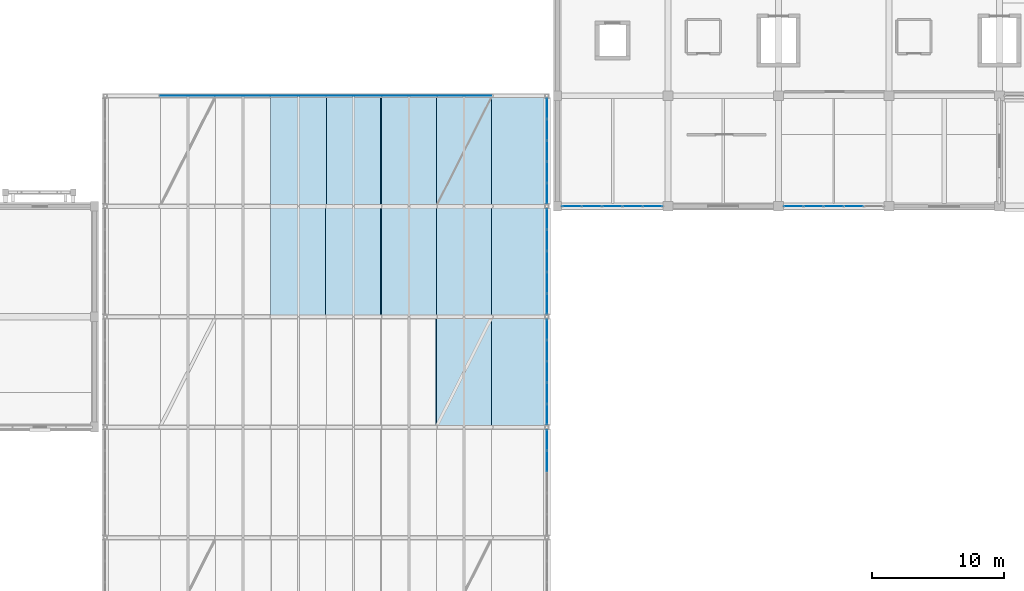
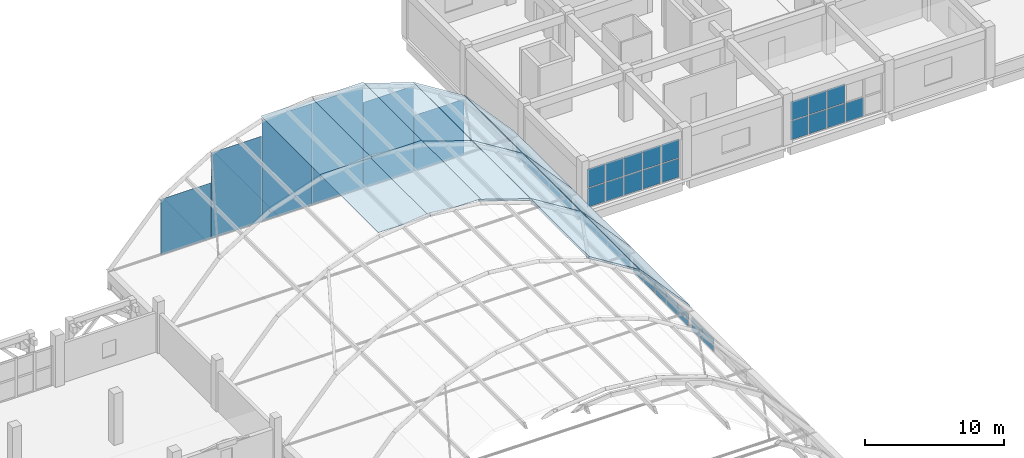
# One storey, part 94 of 114: 61 plates, 8 slabs, 6 elements without a shape of their own.
"""IFC4 building model written with IfcOpenShell, lengths in metres."""

from ifc_helpers import new_model, si_unit, direction, frame, origin, origin_2d, place, context, subcontext, project, spatial, polyline, rectangle, outline, extrude, material, layer, layer_set, type_object, element, aggregate, save


model = new_model("IFC4")

# Units and contexts
model_context = context("Model", 3, precision=1e-05, world=origin(), true_north=direction((0.0, 1.0)))
body_context = subcontext(model_context, "Body", "Model", "MODEL_VIEW")
ifc_project = project(units=[si_unit("LENGTHUNIT", "METRE"), si_unit("AREAUNIT", "SQUARE_METRE"), si_unit("VOLUMEUNIT", "CUBIC_METRE"), si_unit("PLANEANGLEUNIT", "RADIAN"), si_unit("MASSUNIT", "GRAM", prefix="KILO")], contexts=[model_context])

# Site, building, storey
site_placement = place(None, origin())
site = spatial("IfcSite", under=ifc_project, at=site_placement, CompositionType="ELEMENT")
building_placement = place(site_placement, origin())
building = spatial("IfcBuilding", under=site, at=building_placement, Name="Xazarin Passage Department Store", CompositionType="ELEMENT")
storey_placement = place(building_placement, frame((0.0, 0.0, 14.39990234375)))
storey = spatial("IfcBuildingStorey", under=building, at=storey_placement, Name="L03", CompositionType="ELEMENT", Elevation=14.39990234375)

# Curtain wall, plates
ifc_material_1 = material(Name="Bronze anodised aluminium", Category="aluminium")
ifc_layer_1 = layer(ifc_material_1, 0.1650390625)
ifc_layer_set_1 = layer_set([ifc_layer_1], Name="Bronze anodised aluminium")
curtain_wall_type_1 = type_object("IfcCurtainWallType", Name="ARC-CW-OFF1", PredefinedType="NOTDEFINED", material=ifc_layer_set_1)
curtain_wall_1_placement = place(storey_placement, origin())
curtain_wall_1 = element("IfcCurtainWall", 1, at=curtain_wall_1_placement, inside=storey, type_object=curtain_wall_type_1, Name="L03 V4 Curtain Wall 135", PredefinedType="NOTDEFINED")
ifc_material_2 = material(Name="Low-E laminated safety glass", Category="glass")
ifc_layer_2 = layer(ifc_material_2, 0.028076171875)
ifc_layer_set_2 = layer_set([ifc_layer_2], Name="Low-E laminated safety glass")
plate_type_1 = type_object("IfcPlateType", Name="ARC-CWP-GLZ28", PredefinedType="CURTAIN_PANEL", material=ifc_layer_set_2)
plate_1_placement = place(storey_placement, frame((103.48876953125, 84.800048828125, 0.065185546875), z_axis=(0.0, 0.0, 1.0), x_axis=(1.0, 0.0, 0.0)))
plate_1 = element("IfcPlate", 2, at=plate_1_placement, type_object=plate_type_1, Name="CW6 panel 1.1", PredefinedType="CURTAIN_PANEL", context=body_context, shape_type="SweptSolid", body=[
    extrude(rectangle(XDim=1.447509765625, YDim=0.028076171875, at=origin_2d()), origin(), (0.0, 0.0, 1.0), 1.6474609375),
])
plate_2_placement = place(storey_placement, frame((103.48876953125, 84.800048828125, 1.777587890625), z_axis=(0.0, 0.0, 1.0), x_axis=(1.0, 0.0, 0.0)))
plate_2 = element("IfcPlate", 3, at=plate_2_placement, type_object=plate_type_1, Name="CW6 panel 1.2", PredefinedType="CURTAIN_PANEL", context=body_context, shape_type="SweptSolid", body=[
    extrude(rectangle(XDim=1.447509765625, YDim=0.028076171875, at=origin_2d()), origin(), (0.0, 0.0, 1.0), 1.6474609375),
])
plate_3_placement = place(storey_placement, frame((105.017578125, 84.800048828125, 0.065185546875), z_axis=(0.0, 0.0, 1.0), x_axis=(1.0, 0.0, 0.0)))
plate_3 = element("IfcPlate", 4, at=plate_3_placement, type_object=plate_type_1, Name="CW6 panel 2.1", PredefinedType="CURTAIN_PANEL", context=body_context, shape_type="SweptSolid", body=[
    extrude(rectangle(XDim=1.47998046875, YDim=0.028076171875, at=origin_2d()), origin(), (0.0, 0.0, 1.0), 1.6474609375),
])
plate_4_placement = place(storey_placement, frame((105.017578125, 84.800048828125, 1.777587890625), z_axis=(0.0, 0.0, 1.0), x_axis=(1.0, 0.0, 0.0)))
plate_4 = element("IfcPlate", 5, at=plate_4_placement, type_object=plate_type_1, Name="CW6 panel 2.2", PredefinedType="CURTAIN_PANEL", context=body_context, shape_type="SweptSolid", body=[
    extrude(rectangle(XDim=1.47998046875, YDim=0.028076171875, at=origin_2d()), origin(), (0.0, 0.0, 1.0), 1.6474609375),
])
plate_5_placement = place(storey_placement, frame((106.5625, 84.800048828125, 0.065185546875), z_axis=(0.0, 0.0, 1.0), x_axis=(1.0, 0.0, 0.0)))
plate_5 = element("IfcPlate", 6, at=plate_5_placement, type_object=plate_type_1, Name="CW6 panel 3.1", PredefinedType="CURTAIN_PANEL", context=body_context, shape_type="SweptSolid", body=[
    extrude(rectangle(XDim=1.47998046875, YDim=0.028076171875, at=origin_2d()), origin(), (0.0, 0.0, 1.0), 1.6474609375),
])
plate_6_placement = place(storey_placement, frame((106.5625, 84.800048828125, 1.777587890625), z_axis=(0.0, 0.0, 1.0), x_axis=(1.0, 0.0, 0.0)))
plate_6 = element("IfcPlate", 7, at=plate_6_placement, type_object=plate_type_1, Name="CW6 panel 3.2", PredefinedType="CURTAIN_PANEL", context=body_context, shape_type="SweptSolid", body=[
    extrude(rectangle(XDim=1.47998046875, YDim=0.028076171875, at=origin_2d()), origin(), (0.0, 0.0, 1.0), 1.6474609375),
])
plate_7_placement = place(storey_placement, frame((108.107421875, 84.800048828125, 0.065185546875), z_axis=(0.0, 0.0, 1.0), x_axis=(1.0, 0.0, 0.0)))
plate_7 = element("IfcPlate", 8, at=plate_7_placement, type_object=plate_type_1, Name="CW6 panel 4.1", PredefinedType="CURTAIN_PANEL", context=body_context, shape_type="SweptSolid", body=[
    extrude(rectangle(XDim=1.47998046875, YDim=0.028076171875, at=origin_2d()), origin(), (0.0, 0.0, 1.0), 1.6474609375),
])
plate_8_placement = place(storey_placement, frame((108.107421875, 84.800048828125, 1.777587890625), z_axis=(0.0, 0.0, 1.0), x_axis=(1.0, 0.0, 0.0)))
plate_8 = element("IfcPlate", 9, at=plate_8_placement, type_object=plate_type_1, Name="CW6 panel 4.2", PredefinedType="CURTAIN_PANEL", context=body_context, shape_type="SweptSolid", body=[
    extrude(rectangle(XDim=1.47998046875, YDim=0.028076171875, at=origin_2d()), origin(), (0.0, 0.0, 1.0), 1.6474609375),
])
plate_9_placement = place(storey_placement, frame((109.63623046875, 84.800048828125, 0.065185546875), z_axis=(0.0, 0.0, 1.0), x_axis=(1.0, 0.0, 0.0)))
plate_9 = element("IfcPlate", 10, at=plate_9_placement, type_object=plate_type_1, Name="CW6 panel 5.1", PredefinedType="CURTAIN_PANEL", context=body_context, shape_type="SweptSolid", body=[
    extrude(rectangle(XDim=1.447509765625, YDim=0.028076171875, at=origin_2d()), origin(), (0.0, 0.0, 1.0), 1.6474609375),
])
plate_10_placement = place(storey_placement, frame((109.63623046875, 84.800048828125, 1.777587890625), z_axis=(0.0, 0.0, 1.0), x_axis=(1.0, 0.0, 0.0)))
plate_10 = element("IfcPlate", 11, at=plate_10_placement, type_object=plate_type_1, Name="CW6 panel 5.2", PredefinedType="CURTAIN_PANEL", context=body_context, shape_type="SweptSolid", body=[
    extrude(rectangle(XDim=1.447509765625, YDim=0.028076171875, at=origin_2d()), origin(), (0.0, 0.0, 1.0), 1.6474609375),
])
aggregate(curtain_wall_1, [plate_1, plate_2, plate_3, plate_4, plate_5, plate_6, plate_7, plate_8, plate_9, plate_10])

curtain_wall_2_placement = place(storey_placement, origin())
curtain_wall_2 = element("IfcCurtainWall", 12, at=curtain_wall_2_placement, inside=storey, type_object=curtain_wall_type_1, Name="L03 V4 Curtain Wall 136", PredefinedType="NOTDEFINED")
plate_11_placement = place(storey_placement, frame((120.356201171875, 84.800048828125, 0.065185546875), z_axis=(0.0, 0.0, 1.0), x_axis=(1.0, 0.0, 0.0)))
plate_11 = element("IfcPlate", 13, at=plate_11_placement, type_object=plate_type_1, Name="CW6 panel 1.1", PredefinedType="CURTAIN_PANEL", context=body_context, shape_type="SweptSolid", body=[
    extrude(rectangle(XDim=1.4326171875, YDim=0.028076171875, at=origin_2d()), origin(), (0.0, 0.0, 1.0), 1.6474609375),
])
plate_12_placement = place(storey_placement, frame((120.356201171875, 84.800048828125, 1.777587890625), z_axis=(0.0, 0.0, 1.0), x_axis=(1.0, 0.0, 0.0)))
plate_12 = element("IfcPlate", 14, at=plate_12_placement, type_object=plate_type_1, Name="CW6 panel 1.2", PredefinedType="CURTAIN_PANEL", context=body_context, shape_type="SweptSolid", body=[
    extrude(rectangle(XDim=1.4326171875, YDim=0.028076171875, at=origin_2d()), origin(), (0.0, 0.0, 1.0), 1.6474609375),
])
plate_13_placement = place(storey_placement, frame((121.8701171875, 84.800048828125, 0.065185546875), z_axis=(0.0, 0.0, 1.0), x_axis=(1.0, 0.0, 0.0)))
plate_13 = element("IfcPlate", 15, at=plate_13_placement, type_object=plate_type_1, Name="CW6 panel 2.1", PredefinedType="CURTAIN_PANEL", context=body_context, shape_type="SweptSolid", body=[
    extrude(rectangle(XDim=1.465087890625, YDim=0.028076171875, at=origin_2d()), origin(), (0.0, 0.0, 1.0), 1.6474609375),
])
plate_14_placement = place(storey_placement, frame((121.8701171875, 84.800048828125, 1.777587890625), z_axis=(0.0, 0.0, 1.0), x_axis=(1.0, 0.0, 0.0)))
plate_14 = element("IfcPlate", 16, at=plate_14_placement, type_object=plate_type_1, Name="CW6 panel 2.2", PredefinedType="CURTAIN_PANEL", context=body_context, shape_type="SweptSolid", body=[
    extrude(rectangle(XDim=1.465087890625, YDim=0.028076171875, at=origin_2d()), origin(), (0.0, 0.0, 1.0), 1.6474609375),
])
plate_15_placement = place(storey_placement, frame((123.39990234375, 84.800048828125, 0.065185546875), z_axis=(0.0, 0.0, 1.0), x_axis=(1.0, 0.0, 0.0)))
plate_15 = element("IfcPlate", 17, at=plate_15_placement, type_object=plate_type_1, Name="CW6 panel 3.1", PredefinedType="CURTAIN_PANEL", context=body_context, shape_type="SweptSolid", body=[
    extrude(rectangle(XDim=1.465087890625, YDim=0.028076171875, at=origin_2d()), origin(), (0.0, 0.0, 1.0), 1.6474609375),
])
plate_16_placement = place(storey_placement, frame((123.39990234375, 84.800048828125, 1.777587890625), z_axis=(0.0, 0.0, 1.0), x_axis=(1.0, 0.0, 0.0)))
plate_16 = element("IfcPlate", 18, at=plate_16_placement, type_object=plate_type_1, Name="CW6 panel 3.2", PredefinedType="CURTAIN_PANEL", context=body_context, shape_type="SweptSolid", body=[
    extrude(rectangle(XDim=1.465087890625, YDim=0.028076171875, at=origin_2d()), origin(), (0.0, 0.0, 1.0), 1.6474609375),
])
plate_17_placement = place(storey_placement, frame((124.929931640625, 84.800048828125, 0.065185546875), z_axis=(0.0, 0.0, 1.0), x_axis=(1.0, 0.0, 0.0)))
plate_17 = element("IfcPlate", 19, at=plate_17_placement, type_object=plate_type_1, Name="CW6 panel 4.1", PredefinedType="CURTAIN_PANEL", context=body_context, shape_type="SweptSolid", body=[
    extrude(rectangle(XDim=1.465087890625, YDim=0.028076171875, at=origin_2d()), origin(), (0.0, 0.0, 1.0), 1.6474609375),
])
aggregate(curtain_wall_2, [plate_11, plate_12, plate_13, plate_14, plate_15, plate_16, plate_17])

ifc_layer_3 = layer(ifc_material_1, 0.159912109375)
ifc_layer_set_3 = layer_set([ifc_layer_3], Name="Bronze anodised aluminium")
curtain_wall_type_2 = type_object("IfcCurtainWallType", Name="ARC-CW-ARC1", PredefinedType="NOTDEFINED", material=ifc_layer_set_3)
curtain_wall_3_placement = place(storey_placement, origin())
curtain_wall_3 = element("IfcCurtainWall", 20, at=curtain_wall_3_placement, inside=storey, type_object=curtain_wall_type_2, Name="L03 V2N Galleria Clerestory Curtain Wall 2E", PredefinedType="NOTDEFINED")
plate_18_placement = place(storey_placement, frame((101.60009765625, 65.416015625, 0.065185546875), z_axis=(0.0, 0.0, 1.0), x_axis=(0.0, 1.0, 0.0)))
plate_18 = element("IfcPlate", 21, at=plate_18_placement, type_object=plate_type_1, Name="CW3 panel 4.1", PredefinedType="CURTAIN_PANEL", context=body_context, shape_type="SweptSolid", body=[
    extrude(rectangle(XDim=1.551025390625, YDim=0.028076171875, at=origin_2d()), origin(), (0.0, 0.0, 1.0), 0.5283203125),
])
plate_19_placement = place(storey_placement, frame((101.60009765625, 65.416015625, 0.658447265625), z_axis=(0.0, 0.0, 1.0), x_axis=(0.0, 1.0, 0.0)))
plate_19 = element("IfcPlate", 22, at=plate_19_placement, type_object=plate_type_1, Name="CW3 panel 4.2", PredefinedType="CURTAIN_PANEL", context=body_context, shape_type="SweptSolid", body=[
    extrude(rectangle(XDim=1.551025390625, YDim=0.028076171875, at=origin_2d()), origin(), (0.0, 0.0, 1.0), 0.5283203125),
])
plate_20_placement = place(storey_placement, frame((101.60009765625, 67.015869140625, 0.065185546875), z_axis=(0.0, 0.0, 1.0), x_axis=(0.0, 1.0, 0.0)))
plate_20 = element("IfcPlate", 23, at=plate_20_placement, type_object=plate_type_1, Name="CW3 panel 5.1", PredefinedType="CURTAIN_PANEL", context=body_context, shape_type="SweptSolid", body=[
    extrude(rectangle(XDim=1.5185546875, YDim=0.028076171875, at=origin_2d()), origin(), (0.0, 0.0, 1.0), 0.5283203125),
])
plate_21_placement = place(storey_placement, frame((101.60009765625, 67.015869140625, 0.658447265625), z_axis=(0.0, 0.0, 1.0), x_axis=(0.0, 1.0, 0.0)))
plate_21 = element("IfcPlate", 24, at=plate_21_placement, type_object=plate_type_1, Name="CW3 panel 5.2", PredefinedType="CURTAIN_PANEL", context=body_context, shape_type="SweptSolid", body=[
    extrude(rectangle(XDim=1.5185546875, YDim=0.028076171875, at=origin_2d()), origin(), (0.0, 0.0, 1.0), 0.5283203125),
])
aggregate(curtain_wall_3, [plate_18, plate_19, plate_20, plate_21])

curtain_wall_4_placement = place(storey_placement, origin())
curtain_wall_4 = element("IfcCurtainWall", 25, at=curtain_wall_4_placement, inside=storey, type_object=curtain_wall_type_2, Name="L03 V2N Galleria Clerestory Curtain Wall 3E", PredefinedType="NOTDEFINED")
plate_22_placement = place(storey_placement, frame((101.60009765625, 68.984130859375, 0.065185546875), z_axis=(0.0, 0.0, 1.0), x_axis=(0.0, 1.0, 0.0)))
plate_22 = element("IfcPlate", 26, at=plate_22_placement, type_object=plate_type_1, Name="CW3 panel 1.1", PredefinedType="CURTAIN_PANEL", context=body_context, shape_type="SweptSolid", body=[
    extrude(rectangle(XDim=1.5185546875, YDim=0.028076171875, at=origin_2d()), origin(), (0.0, 0.0, 1.0), 0.5283203125),
])
plate_23_placement = place(storey_placement, frame((101.60009765625, 68.984130859375, 0.658447265625), z_axis=(0.0, 0.0, 1.0), x_axis=(0.0, 1.0, 0.0)))
plate_23 = element("IfcPlate", 27, at=plate_23_placement, type_object=plate_type_1, Name="CW3 panel 1.2", PredefinedType="CURTAIN_PANEL", context=body_context, shape_type="SweptSolid", body=[
    extrude(rectangle(XDim=1.5185546875, YDim=0.028076171875, at=origin_2d()), origin(), (0.0, 0.0, 1.0), 0.5283203125),
])
plate_24_placement = place(storey_placement, frame((101.60009765625, 70.583984375, 0.065185546875), z_axis=(0.0, 0.0, 1.0), x_axis=(0.0, 1.0, 0.0)))
plate_24 = element("IfcPlate", 28, at=plate_24_placement, type_object=plate_type_1, Name="CW3 panel 2.1", PredefinedType="CURTAIN_PANEL", context=body_context, shape_type="SweptSolid", body=[
    extrude(rectangle(XDim=1.551025390625, YDim=0.028076171875, at=origin_2d()), origin(), (0.0, 0.0, 1.0), 0.5283203125),
])
plate_25_placement = place(storey_placement, frame((101.60009765625, 70.583984375, 0.658447265625), z_axis=(0.0, 0.0, 1.0), x_axis=(0.0, 1.0, 0.0)))
plate_25 = element("IfcPlate", 29, at=plate_25_placement, type_object=plate_type_1, Name="CW3 panel 2.2", PredefinedType="CURTAIN_PANEL", context=body_context, shape_type="SweptSolid", body=[
    extrude(rectangle(XDim=1.551025390625, YDim=0.028076171875, at=origin_2d()), origin(), (0.0, 0.0, 1.0), 0.5283203125),
])
plate_26_placement = place(storey_placement, frame((101.60009765625, 72.199951171875, 0.065185546875), z_axis=(0.0, 0.0, 1.0), x_axis=(0.0, 1.0, 0.0)))
plate_26 = element("IfcPlate", 30, at=plate_26_placement, type_object=plate_type_1, Name="CW3 panel 3.1", PredefinedType="CURTAIN_PANEL", context=body_context, shape_type="SweptSolid", body=[
    extrude(rectangle(XDim=1.551025390625, YDim=0.028076171875, at=origin_2d()), origin(), (0.0, 0.0, 1.0), 0.5283203125),
])
plate_27_placement = place(storey_placement, frame((101.60009765625, 72.199951171875, 0.658447265625), z_axis=(0.0, 0.0, 1.0), x_axis=(0.0, 1.0, 0.0)))
plate_27 = element("IfcPlate", 31, at=plate_27_placement, type_object=plate_type_1, Name="CW3 panel 3.2", PredefinedType="CURTAIN_PANEL", context=body_context, shape_type="SweptSolid", body=[
    extrude(rectangle(XDim=1.551025390625, YDim=0.028076171875, at=origin_2d()), origin(), (0.0, 0.0, 1.0), 0.5283203125),
])
plate_28_placement = place(storey_placement, frame((101.60009765625, 73.81591796875, 0.065185546875), z_axis=(0.0, 0.0, 1.0), x_axis=(0.0, 1.0, 0.0)))
plate_28 = element("IfcPlate", 32, at=plate_28_placement, type_object=plate_type_1, Name="CW3 panel 4.1", PredefinedType="CURTAIN_PANEL", context=body_context, shape_type="SweptSolid", body=[
    extrude(rectangle(XDim=1.551025390625, YDim=0.028076171875, at=origin_2d()), origin(), (0.0, 0.0, 1.0), 0.5283203125),
])
plate_29_placement = place(storey_placement, frame((101.60009765625, 73.81591796875, 0.658447265625), z_axis=(0.0, 0.0, 1.0), x_axis=(0.0, 1.0, 0.0)))
plate_29 = element("IfcPlate", 33, at=plate_29_placement, type_object=plate_type_1, Name="CW3 panel 4.2", PredefinedType="CURTAIN_PANEL", context=body_context, shape_type="SweptSolid", body=[
    extrude(rectangle(XDim=1.551025390625, YDim=0.028076171875, at=origin_2d()), origin(), (0.0, 0.0, 1.0), 0.5283203125),
])
plate_30_placement = place(storey_placement, frame((101.60009765625, 75.415771484375, 0.065185546875), z_axis=(0.0, 0.0, 1.0), x_axis=(0.0, 1.0, 0.0)))
plate_30 = element("IfcPlate", 34, at=plate_30_placement, type_object=plate_type_1, Name="CW3 panel 5.1", PredefinedType="CURTAIN_PANEL", context=body_context, shape_type="SweptSolid", body=[
    extrude(rectangle(XDim=1.5185546875, YDim=0.028076171875, at=origin_2d()), origin(), (0.0, 0.0, 1.0), 0.5283203125),
])
plate_31_placement = place(storey_placement, frame((101.60009765625, 75.415771484375, 0.658447265625), z_axis=(0.0, 0.0, 1.0), x_axis=(0.0, 1.0, 0.0)))
plate_31 = element("IfcPlate", 35, at=plate_31_placement, type_object=plate_type_1, Name="CW3 panel 5.2", PredefinedType="CURTAIN_PANEL", context=body_context, shape_type="SweptSolid", body=[
    extrude(rectangle(XDim=1.5185546875, YDim=0.028076171875, at=origin_2d()), origin(), (0.0, 0.0, 1.0), 0.5283203125),
])
aggregate(curtain_wall_4, [plate_22, plate_23, plate_24, plate_25, plate_26, plate_27, plate_28, plate_29, plate_30, plate_31])

curtain_wall_5_placement = place(storey_placement, origin())
curtain_wall_5 = element("IfcCurtainWall", 36, at=curtain_wall_5_placement, inside=storey, type_object=curtain_wall_type_2, Name="L03 V2N Galleria Clerestory Curtain Wall 4E", PredefinedType="NOTDEFINED")
plate_32_placement = place(storey_placement, frame((101.60009765625, 77.38427734375, 0.065185546875), z_axis=(0.0, 0.0, 1.0), x_axis=(0.0, 1.0, 0.0)))
plate_32 = element("IfcPlate", 37, at=plate_32_placement, type_object=plate_type_1, Name="CW3 panel 1.1", PredefinedType="CURTAIN_PANEL", context=body_context, shape_type="SweptSolid", body=[
    extrude(rectangle(XDim=1.5185546875, YDim=0.028076171875, at=origin_2d()), origin(), (0.0, 0.0, 1.0), 0.5283203125),
])
plate_33_placement = place(storey_placement, frame((101.60009765625, 77.38427734375, 0.658447265625), z_axis=(0.0, 0.0, 1.0), x_axis=(0.0, 1.0, 0.0)))
plate_33 = element("IfcPlate", 38, at=plate_33_placement, type_object=plate_type_1, Name="CW3 panel 1.2", PredefinedType="CURTAIN_PANEL", context=body_context, shape_type="SweptSolid", body=[
    extrude(rectangle(XDim=1.5185546875, YDim=0.028076171875, at=origin_2d()), origin(), (0.0, 0.0, 1.0), 0.5283203125),
])
plate_34_placement = place(storey_placement, frame((101.60009765625, 78.98388671875, 0.065185546875), z_axis=(0.0, 0.0, 1.0), x_axis=(0.0, 1.0, 0.0)))
plate_34 = element("IfcPlate", 39, at=plate_34_placement, type_object=plate_type_1, Name="CW3 panel 2.1", PredefinedType="CURTAIN_PANEL", context=body_context, shape_type="SweptSolid", body=[
    extrude(rectangle(XDim=1.551025390625, YDim=0.028076171875, at=origin_2d()), origin(), (0.0, 0.0, 1.0), 0.5283203125),
])
plate_35_placement = place(storey_placement, frame((101.60009765625, 78.98388671875, 0.658447265625), z_axis=(0.0, 0.0, 1.0), x_axis=(0.0, 1.0, 0.0)))
plate_35 = element("IfcPlate", 40, at=plate_35_placement, type_object=plate_type_1, Name="CW3 panel 2.2", PredefinedType="CURTAIN_PANEL", context=body_context, shape_type="SweptSolid", body=[
    extrude(rectangle(XDim=1.551025390625, YDim=0.028076171875, at=origin_2d()), origin(), (0.0, 0.0, 1.0), 0.5283203125),
])
plate_36_placement = place(storey_placement, frame((101.60009765625, 80.60009765625, 0.065185546875), z_axis=(0.0, 0.0, 1.0), x_axis=(0.0, 1.0, 0.0)))
plate_36 = element("IfcPlate", 41, at=plate_36_placement, type_object=plate_type_1, Name="CW3 panel 3.1", PredefinedType="CURTAIN_PANEL", context=body_context, shape_type="SweptSolid", body=[
    extrude(rectangle(XDim=1.551025390625, YDim=0.028076171875, at=origin_2d()), origin(), (0.0, 0.0, 1.0), 0.5283203125),
])
plate_37_placement = place(storey_placement, frame((101.60009765625, 80.60009765625, 0.658447265625), z_axis=(0.0, 0.0, 1.0), x_axis=(0.0, 1.0, 0.0)))
plate_37 = element("IfcPlate", 42, at=plate_37_placement, type_object=plate_type_1, Name="CW3 panel 3.2", PredefinedType="CURTAIN_PANEL", context=body_context, shape_type="SweptSolid", body=[
    extrude(rectangle(XDim=1.551025390625, YDim=0.028076171875, at=origin_2d()), origin(), (0.0, 0.0, 1.0), 0.5283203125),
])
plate_38_placement = place(storey_placement, frame((101.60009765625, 82.216064453125, 0.065185546875), z_axis=(0.0, 0.0, 1.0), x_axis=(0.0, 1.0, 0.0)))
plate_38 = element("IfcPlate", 43, at=plate_38_placement, type_object=plate_type_1, Name="CW3 panel 4.1", PredefinedType="CURTAIN_PANEL", context=body_context, shape_type="SweptSolid", body=[
    extrude(rectangle(XDim=1.551025390625, YDim=0.028076171875, at=origin_2d()), origin(), (0.0, 0.0, 1.0), 0.5283203125),
])
plate_39_placement = place(storey_placement, frame((101.60009765625, 82.216064453125, 0.658447265625), z_axis=(0.0, 0.0, 1.0), x_axis=(0.0, 1.0, 0.0)))
plate_39 = element("IfcPlate", 44, at=plate_39_placement, type_object=plate_type_1, Name="CW3 panel 4.2", PredefinedType="CURTAIN_PANEL", context=body_context, shape_type="SweptSolid", body=[
    extrude(rectangle(XDim=1.551025390625, YDim=0.028076171875, at=origin_2d()), origin(), (0.0, 0.0, 1.0), 0.5283203125),
])
plate_40_placement = place(storey_placement, frame((101.60009765625, 83.815673828125, 0.065185546875), z_axis=(0.0, 0.0, 1.0), x_axis=(0.0, 1.0, 0.0)))
plate_40 = element("IfcPlate", 45, at=plate_40_placement, type_object=plate_type_1, Name="CW3 panel 5.1", PredefinedType="CURTAIN_PANEL", context=body_context, shape_type="SweptSolid", body=[
    extrude(rectangle(XDim=1.5185546875, YDim=0.028076171875, at=origin_2d()), origin(), (0.0, 0.0, 1.0), 0.5283203125),
])
plate_41_placement = place(storey_placement, frame((101.60009765625, 83.815673828125, 0.658447265625), z_axis=(0.0, 0.0, 1.0), x_axis=(0.0, 1.0, 0.0)))
plate_41 = element("IfcPlate", 46, at=plate_41_placement, type_object=plate_type_1, Name="CW3 panel 5.2", PredefinedType="CURTAIN_PANEL", context=body_context, shape_type="SweptSolid", body=[
    extrude(rectangle(XDim=1.5185546875, YDim=0.028076171875, at=origin_2d()), origin(), (0.0, 0.0, 1.0), 0.5283203125),
])
aggregate(curtain_wall_5, [plate_32, plate_33, plate_34, plate_35, plate_36, plate_37, plate_38, plate_39, plate_40, plate_41])

curtain_wall_6_placement = place(storey_placement, origin())
curtain_wall_6 = element("IfcCurtainWall", 47, at=curtain_wall_6_placement, inside=storey, type_object=curtain_wall_type_2, Name="L03 V2N Galleria Clerestory Curtain Wall 5E", PredefinedType="NOTDEFINED")
plate_42_placement = place(storey_placement, frame((101.60009765625, 85.7841796875, 0.065185546875), z_axis=(0.0, 0.0, 1.0), x_axis=(0.0, 1.0, 0.0)))
plate_42 = element("IfcPlate", 48, at=plate_42_placement, type_object=plate_type_1, Name="CW3 panel 1.1", PredefinedType="CURTAIN_PANEL", context=body_context, shape_type="SweptSolid", body=[
    extrude(rectangle(XDim=1.5185546875, YDim=0.028076171875, at=origin_2d()), origin(), (0.0, 0.0, 1.0), 0.5283203125),
])
plate_43_placement = place(storey_placement, frame((101.60009765625, 85.7841796875, 0.658447265625), z_axis=(0.0, 0.0, 1.0), x_axis=(0.0, 1.0, 0.0)))
plate_43 = element("IfcPlate", 49, at=plate_43_placement, type_object=plate_type_1, Name="CW3 panel 1.2", PredefinedType="CURTAIN_PANEL", context=body_context, shape_type="SweptSolid", body=[
    extrude(rectangle(XDim=1.5185546875, YDim=0.028076171875, at=origin_2d()), origin(), (0.0, 0.0, 1.0), 0.5283203125),
])
plate_44_placement = place(storey_placement, frame((101.60009765625, 87.384033203125, 0.065185546875), z_axis=(0.0, 0.0, 1.0), x_axis=(0.0, 1.0, 0.0)))
plate_44 = element("IfcPlate", 50, at=plate_44_placement, type_object=plate_type_1, Name="CW3 panel 2.1", PredefinedType="CURTAIN_PANEL", context=body_context, shape_type="SweptSolid", body=[
    extrude(rectangle(XDim=1.551025390625, YDim=0.028076171875, at=origin_2d()), origin(), (0.0, 0.0, 1.0), 0.5283203125),
])
plate_45_placement = place(storey_placement, frame((101.60009765625, 87.384033203125, 0.658447265625), z_axis=(0.0, 0.0, 1.0), x_axis=(0.0, 1.0, 0.0)))
plate_45 = element("IfcPlate", 51, at=plate_45_placement, type_object=plate_type_1, Name="CW3 panel 2.2", PredefinedType="CURTAIN_PANEL", context=body_context, shape_type="SweptSolid", body=[
    extrude(rectangle(XDim=1.551025390625, YDim=0.028076171875, at=origin_2d()), origin(), (0.0, 0.0, 1.0), 0.5283203125),
])
plate_46_placement = place(storey_placement, frame((101.60009765625, 89.0, 0.065185546875), z_axis=(0.0, 0.0, 1.0), x_axis=(0.0, 1.0, 0.0)))
plate_46 = element("IfcPlate", 52, at=plate_46_placement, type_object=plate_type_1, Name="CW3 panel 3.1", PredefinedType="CURTAIN_PANEL", context=body_context, shape_type="SweptSolid", body=[
    extrude(rectangle(XDim=1.551025390625, YDim=0.028076171875, at=origin_2d()), origin(), (0.0, 0.0, 1.0), 0.5283203125),
])
plate_47_placement = place(storey_placement, frame((101.60009765625, 89.0, 0.658447265625), z_axis=(0.0, 0.0, 1.0), x_axis=(0.0, 1.0, 0.0)))
plate_47 = element("IfcPlate", 53, at=plate_47_placement, type_object=plate_type_1, Name="CW3 panel 3.2", PredefinedType="CURTAIN_PANEL", context=body_context, shape_type="SweptSolid", body=[
    extrude(rectangle(XDim=1.551025390625, YDim=0.028076171875, at=origin_2d()), origin(), (0.0, 0.0, 1.0), 0.5283203125),
])
plate_48_placement = place(storey_placement, frame((101.60009765625, 90.615966796875, 0.065185546875), z_axis=(0.0, 0.0, 1.0), x_axis=(0.0, 1.0, 0.0)))
plate_48 = element("IfcPlate", 54, at=plate_48_placement, type_object=plate_type_1, Name="CW3 panel 4.1", PredefinedType="CURTAIN_PANEL", context=body_context, shape_type="SweptSolid", body=[
    extrude(rectangle(XDim=1.551025390625, YDim=0.028076171875, at=origin_2d()), origin(), (0.0, 0.0, 1.0), 0.5283203125),
])
plate_49_placement = place(storey_placement, frame((101.60009765625, 90.615966796875, 0.658447265625), z_axis=(0.0, 0.0, 1.0), x_axis=(0.0, 1.0, 0.0)))
plate_49 = element("IfcPlate", 55, at=plate_49_placement, type_object=plate_type_1, Name="CW3 panel 4.2", PredefinedType="CURTAIN_PANEL", context=body_context, shape_type="SweptSolid", body=[
    extrude(rectangle(XDim=1.551025390625, YDim=0.028076171875, at=origin_2d()), origin(), (0.0, 0.0, 1.0), 0.5283203125),
])
plate_50_placement = place(storey_placement, frame((101.60009765625, 92.2158203125, 0.065185546875), z_axis=(0.0, 0.0, 1.0), x_axis=(0.0, 1.0, 0.0)))
plate_50 = element("IfcPlate", 56, at=plate_50_placement, type_object=plate_type_1, Name="CW3 panel 5.1", PredefinedType="CURTAIN_PANEL", context=body_context, shape_type="SweptSolid", body=[
    extrude(rectangle(XDim=1.5185546875, YDim=0.028076171875, at=origin_2d()), origin(), (0.0, 0.0, 1.0), 0.5283203125),
])
plate_51_placement = place(storey_placement, frame((101.60009765625, 92.2158203125, 0.658447265625), z_axis=(0.0, 0.0, 1.0), x_axis=(0.0, 1.0, 0.0)))
plate_51 = element("IfcPlate", 57, at=plate_51_placement, type_object=plate_type_1, Name="CW3 panel 5.2", PredefinedType="CURTAIN_PANEL", context=body_context, shape_type="SweptSolid", body=[
    extrude(rectangle(XDim=1.5185546875, YDim=0.028076171875, at=origin_2d()), origin(), (0.0, 0.0, 1.0), 0.5283203125),
])
aggregate(curtain_wall_6, [plate_42, plate_43, plate_44, plate_45, plate_46, plate_47, plate_48, plate_49, plate_50, plate_51])

# Plates
ifc_layer_4 = layer(ifc_material_2, 0.028076171875)
ifc_layer_set_4 = layer_set([ifc_layer_4], Name="Low-E laminated safety glass")
plate_type_2 = type_object("IfcPlateType", Name="ARC-PLT-VGLZ28", PredefinedType="SHEET", material=ifc_layer_set_4)
plate_52_placement = place(storey_placement, frame((74.300048828125, 93.199951171875, 1.491943359375), z_axis=(0.0, 0.0, 1.0), x_axis=(1.0, 0.0, 0.0)))
element("IfcPlate", 58, at=plate_52_placement, inside=storey, type_object=plate_type_2, Name="V2N Glazed Gable Tympanum Panel 1.2", PredefinedType="SHEET", context=body_context, shape_type="SweptSolid", body=[
    extrude(rectangle(XDim=4.159912109375, YDim=0.031982421875, at=origin_2d()), origin(), (0.0, 0.0, 1.0), 4.8798828125),
])
plate_53_placement = place(storey_placement, frame((78.5, 93.199951171875, 1.49169921875), z_axis=(0.0, 0.0, 1.0), x_axis=(1.0, 0.0, 0.0)))
element("IfcPlate", 59, at=plate_53_placement, inside=storey, type_object=plate_type_2, Name="V2N Glazed Gable Tympanum Panel 1.3", PredefinedType="SHEET", context=body_context, shape_type="SweptSolid", body=[
    extrude(rectangle(XDim=4.159912109375, YDim=0.031982421875, at=origin_2d()), origin(), (0.0, 0.0, 1.0), 7.4990234375),
])
for number, where, z_axis, x_axis, name in (
    (60, (82.699951171875, 93.199951171875, 1.49169921875), (0.0, 0.0, 1.0), (1.0, 0.0, 0.0), "V2N Glazed Gable Tympanum Panel 1.4"),
    (61, (86.89990234375, 93.199951171875, 1.49169921875), (0.0, 0.0, 1.0), (1.0, 0.0, 0.0), "V2N Glazed Gable Tympanum Panel 1.5"),
):
    element("IfcPlate", number, at=place(storey_placement, frame(where, z_axis=z_axis, x_axis=x_axis)), inside=storey, type_object=plate_type_2, Name=name, PredefinedType="SHEET", context=body_context, shape_type="SweptSolid", body=[
        extrude(rectangle(XDim=4.159912109375, YDim=0.031982421875, at=origin_2d()), origin(), (0.0, 0.0, 1.0), 8.902099609375),
    ])
plate_54_placement = place(storey_placement, frame((91.10009765625, 93.199951171875, 1.49169921875), z_axis=(0.0, 0.0, 1.0), x_axis=(1.0, 0.0, 0.0)))
element("IfcPlate", 62, at=plate_54_placement, inside=storey, type_object=plate_type_2, Name="V2N Glazed Gable Tympanum Panel 1.6", PredefinedType="SHEET", context=body_context, shape_type="SweptSolid", body=[
    extrude(rectangle(XDim=4.159912109375, YDim=0.031982421875, at=origin_2d()), origin(), (0.0, 0.0, 1.0), 7.4990234375),
])
plate_55_placement = place(storey_placement, frame((95.300048828125, 93.199951171875, 1.491943359375), z_axis=(0.0, 0.0, 1.0), x_axis=(1.0, 0.0, 0.0)))
element("IfcPlate", 63, at=plate_55_placement, inside=storey, type_object=plate_type_2, Name="V2N Glazed Gable Tympanum Panel 1.7", PredefinedType="SHEET", context=body_context, shape_type="SweptSolid", body=[
    extrude(rectangle(XDim=4.159912109375, YDim=0.031982421875, at=origin_2d()), origin(), (0.0, 0.0, 1.0), 4.8798828125),
])
for number, where, z_axis, x_axis, name in (
    (64, (82.699951171875, 80.60009765625, 10.712890625), (0.0, 0.0, 1.0), (1.0, 0.0, 0.0), "V2N Crown Skylight Glazing Panel 4.4"),
    (65, (86.89990234375, 80.60009765625, 10.712890625), (0.0, 0.0, 1.0), (1.0, 0.0, 0.0), "V2N Crown Skylight Glazing Panel 4.5"),
    (66, (82.699951171875, 89.0, 10.712890625), (0.0, 0.0, 1.0), (1.0, 0.0, 0.0), "V2N Crown Skylight Glazing Panel 5.4"),
    (67, (86.89990234375, 89.0, 10.712890625), (0.0, 0.0, 1.0), (1.0, 0.0, 0.0), "V2N Crown Skylight Glazing Panel 5.5"),
):
    element("IfcPlate", number, at=place(storey_placement, frame(where, z_axis=z_axis, x_axis=x_axis)), inside=storey, type_object=plate_type_2, Name=name, PredefinedType="SHEET", context=body_context, shape_type="SweptSolid", body=[
        extrude(rectangle(XDim=4.280029296875, YDim=8.47998046875, at=origin_2d()), origin(), (0.0, 0.0, 1.0), 0.028076171875),
    ])

# Slabs
ifc_material_3 = material(Name="Concrete C40/50", Category="concrete")
ifc_layer_5 = layer(ifc_material_3, 0.239990234375)
ifc_layer_set_5 = layer_set([ifc_layer_5], Name="Concrete C40/50")
slab_type = type_object("IfcSlabType", Name="STR-SLB-SHL240", PredefinedType="ROOF", material=ifc_layer_set_5)
slab_1_placement = place(storey_placement, frame((93.199951171875, 68.0, 9.302978515625), z_axis=(0.529045295432, 0.0, 0.848593586696), x_axis=(0.848593586696, 0.0, -0.529045295432)))
element("IfcSlab", 68, at=slab_1_placement, inside=storey, type_object=slab_type, Name="V2N Vaulted Roof Deck Facet 3.7", PredefinedType="ROOF", context=body_context, shape_type="SweptSolid", body=[
    extrude(outline(polyline([(0.0, 0.0), (4.949308170272536, 0.0), (4.949308170272536, 8.39990234375), (0.0, 8.39990234375), (0.0, 0.0)])), origin(), (0.0, 0.0, -1.0), 0.159912109375),
])
slab_2_placement = place(storey_placement, frame((97.39990234375, 68.0, 6.724609375), z_axis=(0.744256633244, 0.0, 0.667893751934), x_axis=(0.667893751934, 0.0, -0.744256633244)))
element("IfcSlab", 69, at=slab_2_placement, inside=storey, type_object=slab_type, Name="V2N Vaulted Roof Deck Facet 3.8", PredefinedType="ROOF", context=body_context, shape_type="SweptSolid", body=[
    extrude(outline(polyline([(0.0, 0.0), (6.288717779343525, 0.0), (6.288717779343525, 8.39990234375), (0.0, 8.39990234375), (0.0, 0.0)])), origin(), (0.0, 0.0, -1.0), 0.159912109375),
])
slab_3_placement = place(storey_placement, frame((89.0, 76.39990234375, 10.686767578125), z_axis=(0.316955418934, 0.0, 0.948440436932), x_axis=(0.948440436932, 0.0, -0.316955418934)))
element("IfcSlab", 70, at=slab_3_placement, inside=storey, type_object=slab_type, Name="V2N Vaulted Roof Deck Facet 4.6", PredefinedType="ROOF", context=body_context, shape_type="SweptSolid", body=[
    extrude(outline(polyline([(0.0, 0.0), (4.428270883788644, 0.0), (4.428270883788644, 8.400146484375), (0.0, 8.400146484375), (0.0, 0.0)])), origin(), (0.0, 0.0, -1.0), 0.159912109375),
])
slab_4_placement = place(storey_placement, frame((93.199951171875, 76.39990234375, 9.302978515625), z_axis=(0.529045295432, 0.0, 0.848593586696), x_axis=(0.848593586696, 0.0, -0.529045295432)))
element("IfcSlab", 71, at=slab_4_placement, inside=storey, type_object=slab_type, Name="V2N Vaulted Roof Deck Facet 4.7", PredefinedType="ROOF", context=body_context, shape_type="SweptSolid", body=[
    extrude(outline(polyline([(0.0, 0.0), (4.949308170272536, 0.0), (4.949308170272536, 8.400146484375), (0.0, 8.400146484375), (0.0, 0.0)])), origin(), (0.0, 0.0, -1.0), 0.159912109375),
])
slab_5_placement = place(storey_placement, frame((97.39990234375, 76.39990234375, 6.724609375), z_axis=(0.744256633244, 0.0, 0.667893751934), x_axis=(0.667893751934, 0.0, -0.744256633244)))
element("IfcSlab", 72, at=slab_5_placement, inside=storey, type_object=slab_type, Name="V2N Vaulted Roof Deck Facet 4.8", PredefinedType="ROOF", context=body_context, shape_type="SweptSolid", body=[
    extrude(outline(polyline([(0.0, 0.0), (6.288717779343525, 0.0), (6.288717779343525, 8.400146484374998), (0.0, 8.400146484374998), (0.0, 0.0)])), origin(), (0.0, 0.0, -1.0), 0.159912109375),
])
slab_6_placement = place(storey_placement, frame((89.0, 84.800048828125, 10.686767578125), z_axis=(0.316955418934, 0.0, 0.948440436932), x_axis=(0.948440436932, 0.0, -0.316955418934)))
element("IfcSlab", 73, at=slab_6_placement, inside=storey, type_object=slab_type, Name="V2N Vaulted Roof Deck Facet 5.6", PredefinedType="ROOF", context=body_context, shape_type="SweptSolid", body=[
    extrude(outline(polyline([(0.0, 0.0), (4.428270883788645, 0.0), (4.428270883788645, 8.39990234375), (0.0, 8.39990234375), (0.0, 0.0)])), origin(), (0.0, 0.0, -1.0), 0.159912109375),
])
slab_7_placement = place(storey_placement, frame((93.199951171875, 84.800048828125, 9.302978515625), z_axis=(0.529045295432, 0.0, 0.848593586696), x_axis=(0.848593586696, 0.0, -0.529045295432)))
element("IfcSlab", 74, at=slab_7_placement, inside=storey, type_object=slab_type, Name="V2N Vaulted Roof Deck Facet 5.7", PredefinedType="ROOF", context=body_context, shape_type="SweptSolid", body=[
    extrude(outline(polyline([(0.0, 0.0), (4.949308170272536, 0.0), (4.949308170272536, 8.39990234375), (0.0, 8.39990234375), (0.0, 0.0)])), origin(), (0.0, 0.0, -1.0), 0.159912109375),
])
slab_8_placement = place(storey_placement, frame((97.39990234375, 84.800048828125, 6.724609375), z_axis=(0.744256633244, 0.0, 0.667893751934), x_axis=(0.667893751934, 0.0, -0.744256633244)))
element("IfcSlab", 75, at=slab_8_placement, inside=storey, type_object=slab_type, Name="V2N Vaulted Roof Deck Facet 5.8", PredefinedType="ROOF", context=body_context, shape_type="SweptSolid", body=[
    extrude(outline(polyline([(0.0, 0.0), (6.288717779343525, 0.0), (6.288717779343525, 8.39990234375), (0.0, 8.39990234375), (0.0, 0.0)])), origin(), (0.0, 0.0, -1.0), 0.159912109375),
])

save(model, "model.ifc")
